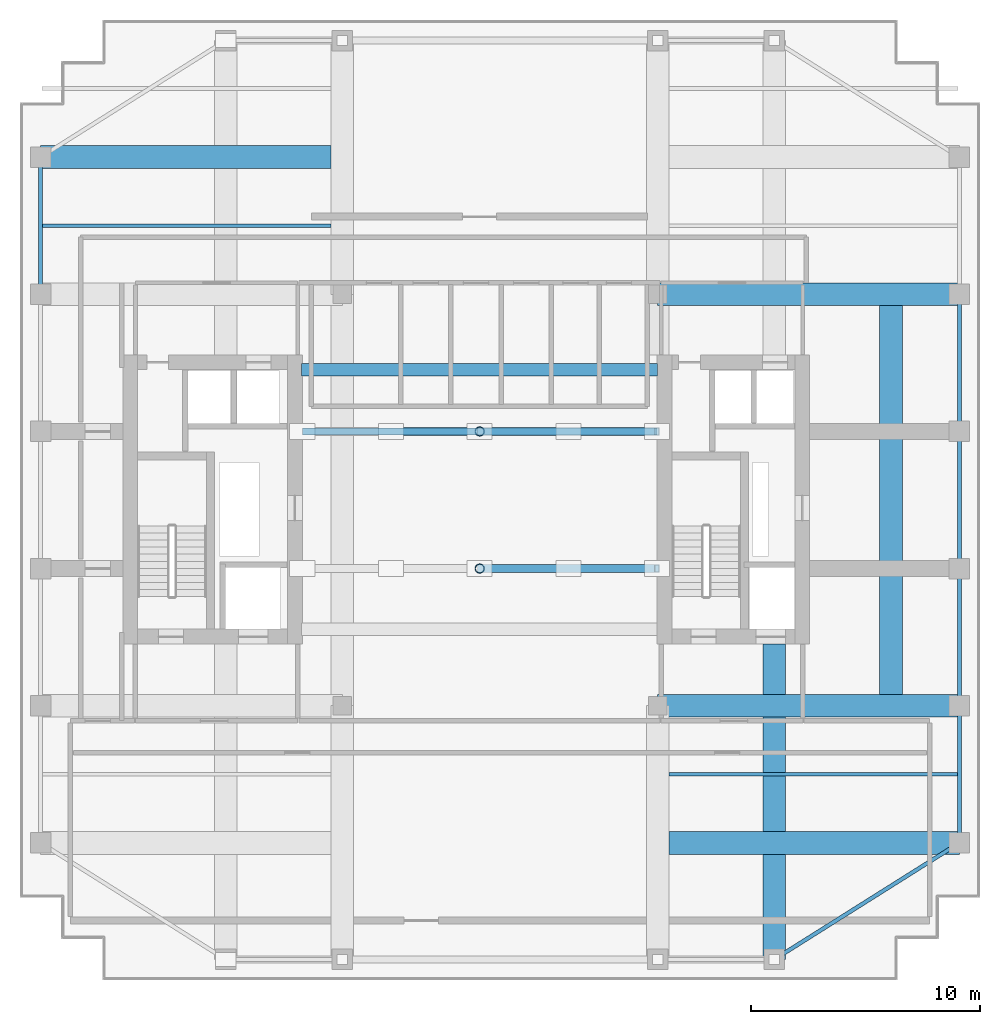
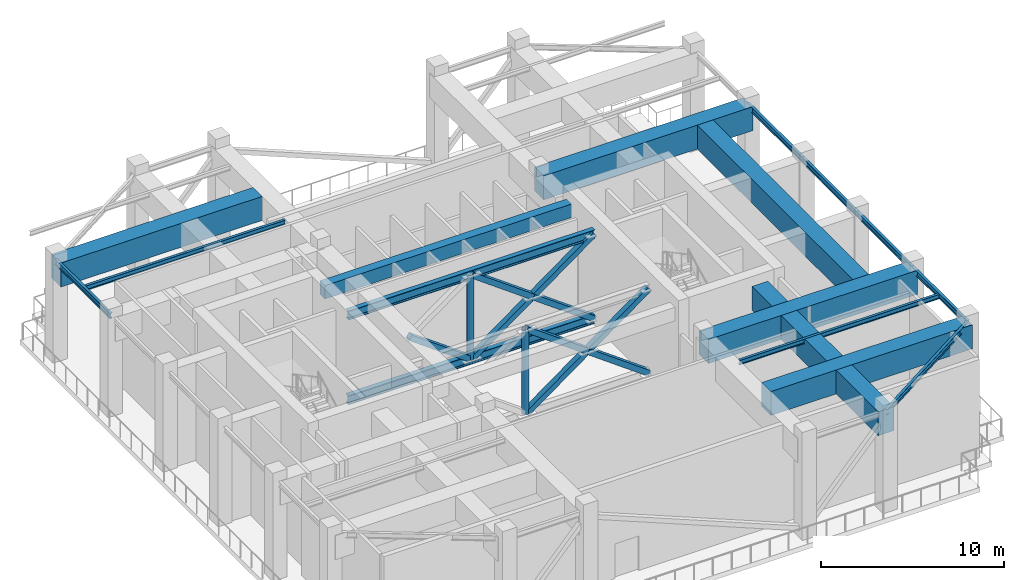
# One storey, part 2 of 9: 15 beams, 11 members.
"""IFC4 building model written with IfcOpenShell, lengths in metres."""

from ifc_helpers import new_model, si_unit, direction, frame, origin, origin_2d, place, context, subcontext, project, spatial, rectangle, hollow_rectangle, hollow_circle, i_section, extrude, source, transform, mapped, material, material_profile, profile_set, type_object, element, save


model = new_model("IFC4")

# Units and contexts
model_context = context("Model", 3, precision=1e-05, world=origin(), true_north=direction((0.0, 1.0)))
body_context = subcontext(model_context, "Body", "Model", "MODEL_VIEW")
ifc_project = project(units=[si_unit("LENGTHUNIT", "METRE"), si_unit("AREAUNIT", "SQUARE_METRE"), si_unit("VOLUMEUNIT", "CUBIC_METRE"), si_unit("PLANEANGLEUNIT", "RADIAN"), si_unit("MASSUNIT", "GRAM", prefix="KILO")], contexts=[model_context])

# Site, building, storey
site_placement = place(None, origin())
site = spatial("IfcSite", under=ifc_project, at=site_placement, CompositionType="ELEMENT")
building_placement = place(site_placement, origin())
building = spatial("IfcBuilding", under=site, at=building_placement, Name="Khoralis Quay Care Tower", CompositionType="ELEMENT")
storey_placement = place(building_placement, frame((0.0, 0.0, 220.5)))
storey = spatial("IfcBuildingStorey", under=building, at=storey_placement, Name="L58", CompositionType="ELEMENT", Elevation=220.5)

# Beams
ifc_material_1 = material(Name="Concrete C65/80", Category="concrete")
ifc_material_profile_1 = material_profile(ifc_material_1, rectangle(XDim=0.550048828125, YDim=0.89990234375, at=origin_2d()), Name="Concrete C65/80")
ifc_profile_set_1 = profile_set([ifc_material_profile_1], Name="Concrete C65/80")
beam_type_1 = type_object("IfcBeamType", Name="CB-RC550X900", PredefinedType="LINTEL", material=ifc_profile_set_1)
shared_shape_1 = source(origin(), body_context, "Body", "SweptSolid", [
    extrude(rectangle(XDim=0.550048828125, YDim=0.89990234375, at=origin_2d()), origin(), (0.0, 0.0, 1.0), 15.579833984375),
])
beam_1_placement = place(storey_placement, frame((15.320068359375, 26.699951171875, 6.10009765625), z_axis=(1.0, 0.0, 0.0), x_axis=(0.0, 1.0, 0.0)))
element("IfcBeam", 1, at=beam_1_placement, inside=storey, type_object=beam_type_1, Name="L58 North Core Coupling Lintel", PredefinedType="LINTEL", context=body_context, shape_type="MappedRepresentation", body=[
    mapped(shared_shape_1, transform((0.0, 0.0, 0.0), scale=1.0)),
])
ifc_material_2 = material(Name="Concrete C80/95", Category="concrete")
ifc_material_profile_2 = material_profile(ifc_material_2, rectangle(XDim=1.0, YDim=1.60009765625, at=origin_2d()), Name="Concrete C80/95")
ifc_profile_set_2 = profile_set([ifc_material_profile_2], Name="Concrete C80/95")
beam_type_2 = type_object("IfcBeamType", Name="TG-RC1000X1600", PredefinedType="BEAM", material=ifc_profile_set_2)
shared_shape_2 = source(origin(), body_context, "Body", "SweptSolid", [
    extrude(rectangle(XDim=1.0, YDim=1.60009765625, at=origin_2d()), origin(), (0.0, 0.0, 1.0), 18.0),
])
beam_2_placement = place(storey_placement, frame((41.10009765625, 12.0, 5.75), z_axis=(0.0, 1.0, 0.0), x_axis=(-1.0, 0.0, 0.0)))
element("IfcBeam", 2, at=beam_2_placement, inside=storey, type_object=beam_type_2, Name="L58 Setback Perimeter Transfer Girder", PredefinedType="BEAM", context=body_context, shape_type="MappedRepresentation", body=[
    mapped(shared_shape_2, transform((0.0, 0.0, 0.0), scale=1.0)),
])
shared_shape_3 = source(origin(), body_context, "Body", "SweptSolid", [
    extrude(rectangle(XDim=1.0, YDim=1.60009765625, at=origin_2d()), origin(), (0.0, 0.0, 1.0), 12.712158203125),
])
for number, where, z_axis, x_axis, name in (
    (3, (3.89990234375, 36.0, 5.75), (1.0, 0.0, 0.0), (0.0, 1.0, 0.0), "L58 Transfer girder BM-TGXW-L58-360"),
    (4, (31.387939453125, 6.0, 5.75), (1.0, 0.0, 0.0), (0.0, 1.0, 0.0), "L58 Transfer girder BM-TGXE-L58-60"),
):
    element("IfcBeam", number, at=place(storey_placement, frame(where, z_axis=z_axis, x_axis=x_axis)), inside=storey, type_object=beam_type_2, Name=name, PredefinedType="BEAM", context=body_context, shape_type="MappedRepresentation", body=[
        mapped(shared_shape_3, transform((0.0, 0.0, 0.0), scale=1.0)),
    ])
shared_shape_4 = source(origin(), body_context, "Body", "SweptSolid", [
    extrude(rectangle(XDim=1.0, YDim=1.60009765625, at=origin_2d()), origin(), (0.0, 0.0, 1.0), 13.2001953125),
])
for number, where, z_axis, x_axis, name in (
    (5, (30.89990234375, 12.0, 5.75), (1.0, 0.0, 0.0), (0.0, 1.0, 0.0), "L58 Transfer girder BM-TGXE-L58-120"),
    (6, (30.89990234375, 30.0, 5.75), (1.0, 0.0, 0.0), (0.0, 1.0, 0.0), "L58 Transfer girder BM-TGXE-L58-300"),
):
    element("IfcBeam", number, at=place(storey_placement, frame(where, z_axis=z_axis, x_axis=x_axis)), inside=storey, type_object=beam_type_2, Name=name, PredefinedType="BEAM", context=body_context, shape_type="MappedRepresentation", body=[
        mapped(shared_shape_4, transform((0.0, 0.0, 0.0), scale=1.0)),
    ])
ifc_material_3 = material(Name="Steel S355", Category="steel")
ifc_material_profile_3 = material_profile(ifc_material_3, i_section(OverallWidth=0.169921875, OverallDepth=0.360107421875, WebThickness=0.008056640625, FlangeThickness=0.0126953125, FilletRadius=0.01806640625, at=origin_2d()), Name="Steel S355")
ifc_profile_set_3 = profile_set([ifc_material_profile_3], Name="Steel S355")
beam_type_3 = type_object("IfcBeamType", Name="BM-IPE360", PredefinedType="SPANDREL", material=ifc_profile_set_3)
shared_shape_5 = source(origin(), body_context, "Body", "SweptSolid", [
    extrude(i_section(OverallWidth=0.169921875, OverallDepth=0.360107421875, WebThickness=0.008056640625, FlangeThickness=0.0126953125, FilletRadius=0.01806640625, at=origin_2d()), origin(), (0.0, 0.0, 1.0), 6.0),
])
for number, where, z_axis, x_axis, name in (
    (7, (3.89990234375, 30.0, 6.3701171875), (0.0, 1.0, 0.0), (-1.0, 0.0, 0.0), "BM-TSP-L58-09"),
    (8, (44.10009765625, 6.0, 6.3701171875), (0.0, 1.0, 0.0), (-1.0, 0.0, 0.0), "BM-TSP-L58-10"),
    (9, (44.10009765625, 12.0, 6.3701171875), (0.0, 1.0, 0.0), (-1.0, 0.0, 0.0), "BM-TSP-L58-11"),
    (10, (44.10009765625, 18.0, 6.3701171875), (0.0, 1.0, 0.0), (-1.0, 0.0, 0.0), "BM-TSP-L58-12"),
    (11, (44.10009765625, 24.0, 6.3701171875), (0.0, 1.0, 0.0), (-1.0, 0.0, 0.0), "BM-TSP-L58-13"),
):
    element("IfcBeam", number, at=place(storey_placement, frame(where, z_axis=z_axis, x_axis=x_axis)), inside=storey, type_object=beam_type_3, Name=name, PredefinedType="SPANDREL", context=body_context, shape_type="MappedRepresentation", body=[
        mapped(shared_shape_5, transform((0.0, 0.0, 0.0), scale=1.0)),
    ])
shared_shape_6 = source(origin(), body_context, "Body", "SweptSolid", [
    extrude(i_section(OverallWidth=0.169921875, OverallDepth=0.360107421875, WebThickness=0.008056640625, FlangeThickness=0.0126953125, FilletRadius=0.01806640625, at=origin_2d()), origin(), (0.0, 0.0, 1.0), 9.572021484375),
])
beam_3_placement = place(storey_placement, frame((36.0, 0.89990234375, 6.3701171875), z_axis=(0.846231136359, 0.532815975602, 0.0), x_axis=(-0.532815975602, 0.846231136359, 0.0)))
element("IfcBeam", 12, at=beam_3_placement, inside=storey, type_object=beam_type_3, Name="BM-TCR-L58-16", PredefinedType="SPANDREL", context=body_context, shape_type="MappedRepresentation", body=[
    mapped(shared_shape_6, transform((0.0, 0.0, 0.0), scale=1.0)),
])
shared_shape_7 = source(origin(), body_context, "Body", "SweptSolid", [
    extrude(rectangle(XDim=1.0, YDim=1.60009765625, at=origin_2d()), origin(), (0.0, 0.0, 1.0), 13.802001953125),
])
beam_4_placement = place(storey_placement, frame((36.0, 0.89990234375, 5.75), z_axis=(0.0, 1.0, 0.0), x_axis=(-1.0, 0.0, 0.0)))
element("IfcBeam", 13, at=beam_4_placement, inside=storey, type_object=beam_type_2, Name="L58 Transfer girder BM-TGYS-L58-360", PredefinedType="BEAM", context=body_context, shape_type="MappedRepresentation", body=[
    mapped(shared_shape_7, transform((0.0, 0.0, 0.0), scale=1.0)),
])
ifc_material_profile_4 = material_profile(ifc_material_3, i_section(OverallWidth=0.1650390625, OverallDepth=0.31005859375, WebThickness=0.005859375, FlangeThickness=0.009765625, FilletRadius=0.011962890625, at=origin_2d()), Name="Steel S355")
ifc_profile_set_4 = profile_set([ifc_material_profile_4], Name="Steel S355")
beam_type_4 = type_object("IfcBeamType", Name="BM-W310X39", PredefinedType="JOIST", material=ifc_profile_set_4)
shared_shape_8 = source(origin(), body_context, "Body", "SweptSolid", [
    extrude(i_section(OverallWidth=0.1650390625, OverallDepth=0.31005859375, WebThickness=0.005859375, FlangeThickness=0.009765625, FilletRadius=0.011962890625, at=origin_2d()), origin(), (0.0, 0.0, 1.0), 12.64111328125),
])
for number, where, z_axis, x_axis, name in (
    (14, (31.387939453125, 9.0, 6.39501953125), (1.0, 0.0, 0.0), (0.0, 1.0, 0.0), "BM-TJS-L58-20"),
    (15, (3.970947265625, 33.0, 6.39501953125), (1.0, 0.0, 0.0), (0.0, 1.0, 0.0), "BM-TJS-L58-21"),
):
    element("IfcBeam", number, at=place(storey_placement, frame(where, z_axis=z_axis, x_axis=x_axis)), inside=storey, type_object=beam_type_4, Name=name, PredefinedType="JOIST", context=body_context, shape_type="MappedRepresentation", body=[
        mapped(shared_shape_8, transform((0.0, 0.0, 0.0), scale=1.0)),
    ])

# Members
ifc_material_profile_5 = material_profile(ifc_material_3, hollow_circle(Radius=0.203125, WallThickness=0.02001953125, at=origin_2d()), Name="Steel S355")
ifc_profile_set_5 = profile_set([ifc_material_profile_5], Name="Steel S355")
member_type_1 = type_object("IfcMemberType", Name="ST-CHS406X20", PredefinedType="STRUT", material=ifc_profile_set_5)
shared_shape_9 = source(origin(), body_context, "Body", "SweptSolid", [
    extrude(hollow_circle(Radius=0.203125, WallThickness=0.02001953125, at=origin_2d()), origin(), (0.0, 0.0, 1.0), 5.650146484375),
])
for number, where, z_axis, x_axis, name in (
    (16, (23.110107421875, 18.0, 0.449951171875), (0.0, 0.0, 1.0), (1.0, 0.0, 0.0), "MBR-L58-VST-18"),
    (17, (23.110107421875, 24.0, 0.449951171875), (0.0, 0.0, 1.0), (1.0, 0.0, 0.0), "MBR-L58-VST-24"),
):
    element("IfcMember", number, at=place(storey_placement, frame(where, z_axis=z_axis, x_axis=x_axis)), inside=storey, type_object=member_type_1, Name=name, PredefinedType="STRUT", context=body_context, shape_type="MappedRepresentation", body=[
        mapped(shared_shape_9, transform((0.0, 0.0, 0.0), scale=1.0)),
    ])
ifc_material_profile_6 = material_profile(ifc_material_3, i_section(OverallWidth=0.300048828125, OverallDepth=0.60009765625, WebThickness=0.015380859375, FlangeThickness=0.030029296875, FilletRadius=0.027099609375, at=origin_2d()), Name="Steel S355")
ifc_profile_set_6 = profile_set([ifc_material_profile_6], Name="Steel S355")
member_type_2 = type_object("IfcMemberType", Name="CH-HEB600", PredefinedType="CHORD", material=ifc_profile_set_6)
shared_shape_10 = source(origin(), body_context, "Body", "SweptSolid", [
    extrude(i_section(OverallWidth=0.300048828125, OverallDepth=0.60009765625, WebThickness=0.015380859375, FlangeThickness=0.030029296875, FilletRadius=0.027099609375, at=origin_2d()), origin(), (0.0, 0.0, 1.0), 15.52001953125),
])
for number, where, z_axis, x_axis, name in (
    (18, (15.35009765625, 24.0, 0.449951171875), (1.0, 0.0, 0.0), (0.0, 1.0, 0.0), "MBR-L58-CHB-24"),
    (19, (15.35009765625, 24.0, 6.10009765625), (1.0, 0.0, 0.0), (0.0, 1.0, 0.0), "MBR-L58-CHT-24"),
):
    element("IfcMember", number, at=place(storey_placement, frame(where, z_axis=z_axis, x_axis=x_axis)), inside=storey, type_object=member_type_2, Name=name, PredefinedType="CHORD", context=body_context, shape_type="MappedRepresentation", body=[
        mapped(shared_shape_10, transform((0.0, 0.0, 0.0), scale=1.0)),
    ])
ifc_material_profile_7 = material_profile(ifc_material_3, hollow_rectangle(XDim=0.35009765625, YDim=0.35009765625, WallThickness=0.01611328125, at=origin_2d()), Name="Steel S355")
ifc_profile_set_7 = profile_set([ifc_material_profile_7], Name="Steel S355")
member_type_3 = type_object("IfcMemberType", Name="BR-RHS350X350X16", PredefinedType="BRACE", material=ifc_profile_set_7)
shared_shape_11 = source(origin(), body_context, "Body", "SweptSolid", [
    extrude(hollow_rectangle(XDim=0.35009765625, YDim=0.35009765625, WallThickness=0.01611328125, at=origin_2d()), origin(), (0.0, 0.0, 1.0), 9.59912109375),
])
for number, where, z_axis, x_axis, name in (
    (20, (23.110107421875, 18.0, 0.449951171875), (0.808413709649, 0.0, 0.588614707642), (0.0, 1.0, 0.0), "L58 Outrigger Truss Continuous Diagonal 3"),
    (21, (23.110107421875, 24.0, 0.449951171875), (0.808413709649, 0.0, 0.588614707642), (0.0, 1.0, 0.0), "L58 Outrigger Truss Continuous Diagonal 7"),
):
    element("IfcMember", number, at=place(storey_placement, frame(where, z_axis=z_axis, x_axis=x_axis)), inside=storey, type_object=member_type_3, Name=name, PredefinedType="BRACE", context=body_context, shape_type="MappedRepresentation", body=[
        mapped(shared_shape_11, transform((0.0, 0.0, 0.0), scale=1.0)),
    ])
shared_shape_12 = source(origin(), body_context, "Body", "SweptSolid", [
    extrude(hollow_rectangle(XDim=0.35009765625, YDim=0.35009765625, WallThickness=0.01611328125, at=origin_2d()), origin(), (0.0, 0.0, 1.0), 4.789306640625),
])
for number, where, z_axis, x_axis, name in (
    (22, (23.110107421875, 18.0, 6.10009765625), (0.808416336354, 0.0, -0.588611100062), (0.0, 1.0, 0.0), "L58 Outrigger Split Diagonal 4A"),
    (23, (23.110107421875, 24.0, 6.10009765625), (0.808416336354, 0.0, -0.588611100062), (0.0, 1.0, 0.0), "L58 Outrigger Split Diagonal 8A"),
):
    element("IfcMember", number, at=place(storey_placement, frame(where, z_axis=z_axis, x_axis=x_axis)), inside=storey, type_object=member_type_3, Name=name, PredefinedType="BRACE", context=body_context, shape_type="MappedRepresentation", body=[
        mapped(shared_shape_12, transform((0.0, 0.0, 0.0), scale=1.0)),
    ])
shared_shape_13 = source(origin(), body_context, "Body", "SweptSolid", [
    extrude(hollow_rectangle(XDim=0.35009765625, YDim=0.35009765625, WallThickness=0.01611328125, at=origin_2d()), origin(), (0.0, 0.0, 1.0), 4.78955078125),
])
for number, where, z_axis, x_axis, name in (
    (24, (26.998046875, 18.0, 3.26904296875), (0.808433996298, 0.0, -0.588586844594), (0.0, 1.0, 0.0), "L58 Outrigger Split Diagonal 4B"),
    (25, (19.238037109375, 24.0, 3.26904296875), (0.808433996298, 0.0, -0.588586844594), (0.0, 1.0, 0.0), "L58 Outrigger Split Diagonal 6B"),
    (26, (26.998046875, 24.0, 3.26904296875), (0.808433996298, 0.0, -0.588586844594), (0.0, 1.0, 0.0), "L58 Outrigger Split Diagonal 8B"),
):
    element("IfcMember", number, at=place(storey_placement, frame(where, z_axis=z_axis, x_axis=x_axis)), inside=storey, type_object=member_type_3, Name=name, PredefinedType="BRACE", context=body_context, shape_type="MappedRepresentation", body=[
        mapped(shared_shape_13, transform((0.0, 0.0, 0.0), scale=1.0)),
    ])

save(model, "model.ifc")
